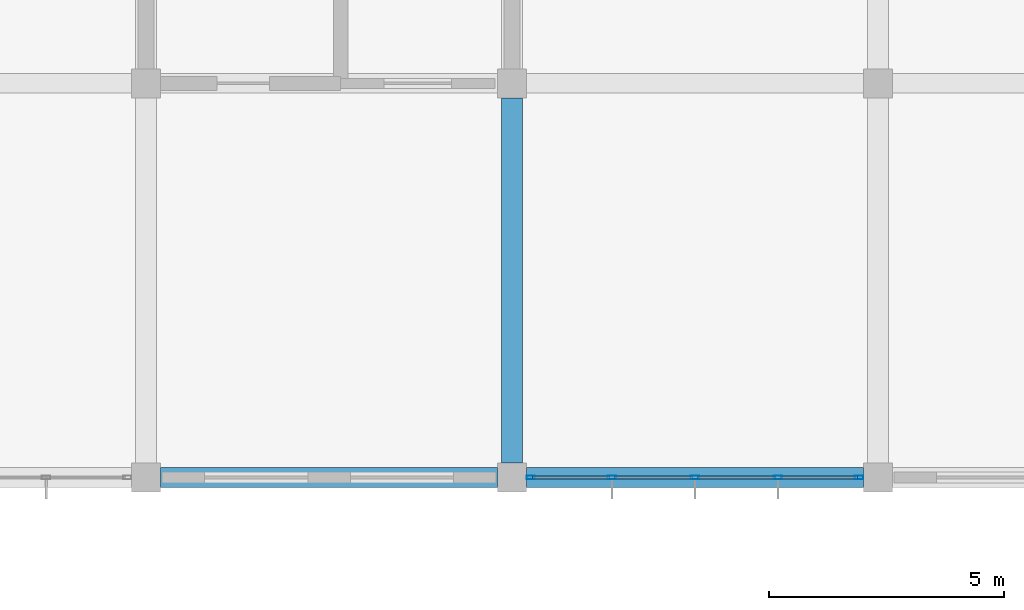
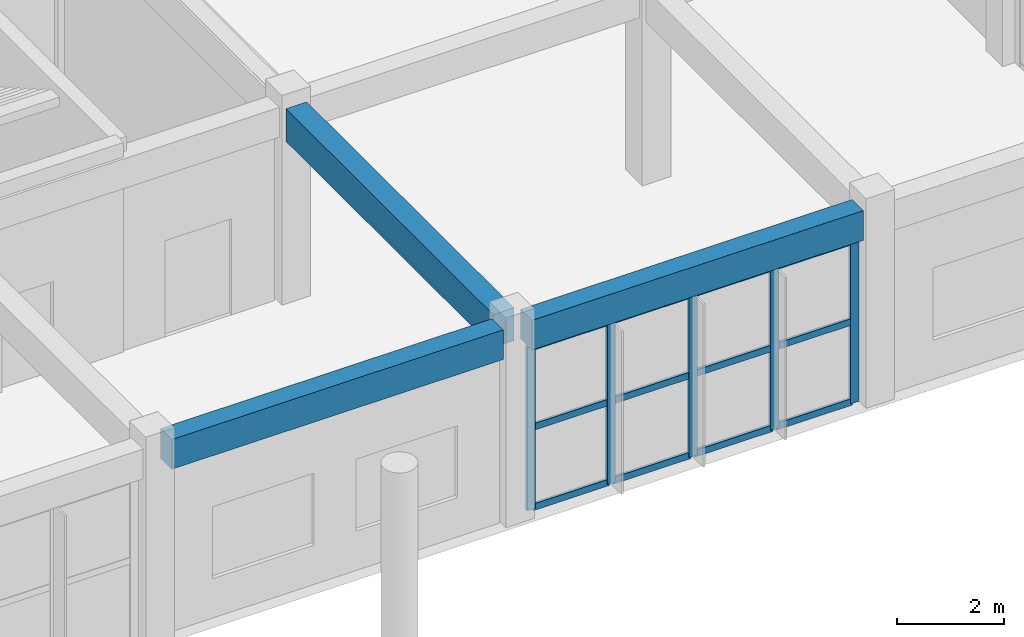
# One storey, part 90 of 167: 17 members, 3 beams, 1 element without a shape of its own.
"""IFC4 building model written with IfcOpenShell, lengths in metres."""

from ifc_helpers import new_model, si_unit, direction, frame, origin, origin_2d, place, context, subcontext, project, spatial, rectangle, hollow_rectangle, extrude, material, layer, layer_set, material_profile, profile_set, type_object, element, aggregate, save


model = new_model("IFC4")

# Units and contexts
model_context = context("Model", 3, precision=1e-05, world=origin(), true_north=direction((0.0, 1.0)))
body_context = subcontext(model_context, "Body", "Model", "MODEL_VIEW")
ifc_project = project(units=[si_unit("LENGTHUNIT", "METRE"), si_unit("AREAUNIT", "SQUARE_METRE"), si_unit("VOLUMEUNIT", "CUBIC_METRE"), si_unit("PLANEANGLEUNIT", "RADIAN"), si_unit("MASSUNIT", "GRAM", prefix="KILO")], contexts=[model_context])

# Site, building, storey
site_placement = place(None, origin())
site = spatial("IfcSite", under=ifc_project, at=site_placement, CompositionType="ELEMENT")
building_placement = place(site_placement, origin())
building = spatial("IfcBuilding", under=site, at=building_placement, Name="Zizhar Promenade General Hospital", CompositionType="ELEMENT")
storey_placement = place(building_placement, frame((0.0, 0.0, 9.60009765625)))
storey = spatial("IfcBuildingStorey", under=building, at=storey_placement, Name="L02", CompositionType="ELEMENT", Elevation=9.60009765625)

# Beams
ifc_material_1 = material(Name="Concrete C35/45", Category="concrete")
ifc_material_profile_1 = material_profile(ifc_material_1, rectangle(XDim=0.419921875, YDim=0.679931640625, at=origin_2d()))
ifc_profile_set_1 = profile_set([ifc_material_profile_1], Name="Concrete C35/45")
beam_type_1 = type_object("IfcBeamType", Name="BM-RC-420x680", PredefinedType="JOIST", material=ifc_profile_set_1)
beam_1_placement = place(storey_placement, frame((171.909912109375, 42.0, 4.1298828125), z_axis=(1.0, 0.0, 0.0), x_axis=(0.0, 1.0, 0.0)))
element("IfcBeam", 1, at=beam_1_placement, inside=storey, type_object=beam_type_1, Name="Grid Beam X L02 (22-5)", PredefinedType="JOIST", context=body_context, shape_type="SweptSolid", body=[
    extrude(rectangle(XDim=0.419921875, YDim=0.679931640625, at=origin_2d()), origin(), (0.0, 0.0, 1.0), 7.18017578125),
])
beam_2_placement = place(storey_placement, frame((179.7099609375, 42.0, 4.1298828125), z_axis=(1.0, 0.0, 0.0), x_axis=(0.0, 1.0, 0.0)))
element("IfcBeam", 2, at=beam_2_placement, inside=storey, type_object=beam_type_1, Name="Grid Beam X L02 (23-5)", PredefinedType="JOIST", context=body_context, shape_type="SweptSolid", body=[
    extrude(rectangle(XDim=0.419921875, YDim=0.679931640625, at=origin_2d()), origin(), (0.0, 0.0, 1.0), 7.179931640625),
])
ifc_material_2 = material(Name="Concrete C35/45", Category="concrete")
ifc_material_profile_2 = material_profile(ifc_material_2, rectangle(XDim=0.449951171875, YDim=0.75, at=origin_2d()))
ifc_profile_set_2 = profile_set([ifc_material_profile_2], Name="Concrete C35/45")
beam_type_2 = type_object("IfcBeamType", Name="BM-RC-450x750", PredefinedType="BEAM", material=ifc_profile_set_2)
beam_3_placement = place(storey_placement, frame((179.39990234375, 42.31005859375, 4.094970703125), z_axis=(0.0, 1.0, 0.0), x_axis=(-1.0, 0.0, 0.0)))
element("IfcBeam", 3, at=beam_3_placement, inside=storey, type_object=beam_type_2, Name="Grid Beam Y L02 (23-5)", PredefinedType="BEAM", context=body_context, shape_type="SweptSolid", body=[
    extrude(rectangle(XDim=0.449951171875, YDim=0.75, at=origin_2d()), origin(), (0.0, 0.0, 1.0), 7.780029296875),
])

# Curtain wall, members
ifc_material_3 = material(Name="Anodised aluminium 6063-T6 and low-E glass", Category="aluminium")
ifc_layer = layer(ifc_material_3, 0.159912109375)
ifc_layer_set = layer_set([ifc_layer], Name="Anodised aluminium 6063-T6 and low-E glass")
curtain_wall_type = type_object("IfcCurtainWallType", Name="CW-CLN-EXT", PredefinedType="NOTDEFINED", material=ifc_layer_set)
curtain_wall_placement = place(storey_placement, origin())
curtain_wall = element("IfcCurtainWall", 4, at=curtain_wall_placement, inside=storey, type_object=curtain_wall_type, Name="Outpatient Forecourt Curtain Wall L02-23", PredefinedType="NOTDEFINED")
ifc_material_4 = material(Name="Anodised aluminium 6063-T6", Category="aluminium")
ifc_material_profile_3 = material_profile(ifc_material_4, hollow_rectangle(XDim=0.080078125, YDim=0.179931640625, WallThickness=0.0048828125, at=origin_2d()))
ifc_profile_set_3 = profile_set([ifc_material_profile_3], Name="Anodised aluminium 6063-T6")
member_type_1 = type_object("IfcMemberType", Name="CWM-ALU-180x80", PredefinedType="MULLION", material=ifc_profile_set_3)
member_1_placement = place(storey_placement, frame((186.800048828125, 42.0, 0.0), z_axis=(0.0, 0.0, 1.0), x_axis=(0.0, -1.0, 0.0)))
member_1 = element("IfcMember", 5, at=member_1_placement, type_object=member_type_1, Name="CW-09 mullion 1", PredefinedType="MULLION", context=body_context, shape_type="SweptSolid", body=[
    extrude(hollow_rectangle(XDim=0.080078125, YDim=0.179931640625, WallThickness=0.0048828125, at=origin_2d()), origin(), (0.0, 0.0, 1.0), 3.72998046875),
])
member_2_placement = place(storey_placement, frame((185.070068359375, 42.0, 0.0), z_axis=(0.0, 0.0, 1.0), x_axis=(0.0, -1.0, 0.0)))
member_2 = element("IfcMember", 6, at=member_2_placement, type_object=member_type_1, Name="CW-09 mullion 2", PredefinedType="MULLION", context=body_context, shape_type="SweptSolid", body=[
    extrude(hollow_rectangle(XDim=0.080078125, YDim=0.179931640625, WallThickness=0.0048828125, at=origin_2d()), origin(), (0.0, 0.0, 1.0), 3.72998046875),
])
member_3_placement = place(storey_placement, frame((183.300048828125, 42.0, 0.0), z_axis=(0.0, 0.0, 1.0), x_axis=(0.0, -1.0, 0.0)))
member_3 = element("IfcMember", 7, at=member_3_placement, type_object=member_type_1, Name="CW-09 mullion 3", PredefinedType="MULLION", context=body_context, shape_type="SweptSolid", body=[
    extrude(hollow_rectangle(XDim=0.080078125, YDim=0.179931640625, WallThickness=0.0048828125, at=origin_2d()), origin(), (0.0, 0.0, 1.0), 3.72998046875),
])
member_4_placement = place(storey_placement, frame((181.530029296875, 42.0, 0.0), z_axis=(0.0, 0.0, 1.0), x_axis=(0.0, -1.0, 0.0)))
member_4 = element("IfcMember", 8, at=member_4_placement, type_object=member_type_1, Name="CW-09 mullion 4", PredefinedType="MULLION", context=body_context, shape_type="SweptSolid", body=[
    extrude(hollow_rectangle(XDim=0.080078125, YDim=0.179931640625, WallThickness=0.0048828125, at=origin_2d()), origin(), (0.0, 0.0, 1.0), 3.72998046875),
])
member_5_placement = place(storey_placement, frame((179.800048828125, 42.0, 0.0), z_axis=(0.0, 0.0, 1.0), x_axis=(0.0, -1.0, 0.0)))
member_5 = element("IfcMember", 9, at=member_5_placement, type_object=member_type_1, Name="CW-09 mullion 5", PredefinedType="MULLION", context=body_context, shape_type="SweptSolid", body=[
    extrude(hollow_rectangle(XDim=0.080078125, YDim=0.179931640625, WallThickness=0.0048828125, at=origin_2d()), origin(), (0.0, 0.0, 1.0), 3.72998046875),
])
ifc_material_5 = material(Name="Anodised aluminium 6063-T6", Category="aluminium")
ifc_material_profile_4 = material_profile(ifc_material_5, hollow_rectangle(XDim=0.06005859375, YDim=0.14990234375, WallThickness=0.00390625, at=origin_2d()))
ifc_profile_set_4 = profile_set([ifc_material_profile_4], Name="Anodised aluminium 6063-T6")
member_type_2 = type_object("IfcMemberType", Name="CWT-ALU-150x60", PredefinedType="USERDEFINED", material=ifc_profile_set_4)
member_6_placement = place(storey_placement, frame((186.760009765625, 42.0, 0.02978515625), z_axis=(-1.0, 0.0, 0.0), x_axis=(0.0, -1.0, 0.0)))
member_6 = element("IfcMember", 10, at=member_6_placement, type_object=member_type_2, Name="CW-09 transom 1.1", ObjectType="TRANSOM", PredefinedType="USERDEFINED", context=body_context, shape_type="SweptSolid", body=[
    extrude(hollow_rectangle(XDim=0.06005859375, YDim=0.14990234375, WallThickness=0.00390625, at=origin_2d()), origin(), (0.0, 0.0, 1.0), 1.64990234375),
])
member_7_placement = place(storey_placement, frame((186.760009765625, 42.0, 1.864990234375), z_axis=(-1.0, 0.0, 0.0), x_axis=(0.0, -1.0, 0.0)))
member_7 = element("IfcMember", 11, at=member_7_placement, type_object=member_type_2, Name="CW-09 transom 1.2", ObjectType="TRANSOM", PredefinedType="USERDEFINED", context=body_context, shape_type="SweptSolid", body=[
    extrude(hollow_rectangle(XDim=0.06005859375, YDim=0.14990234375, WallThickness=0.00390625, at=origin_2d()), origin(), (0.0, 0.0, 1.0), 1.64990234375),
])
member_8_placement = place(storey_placement, frame((186.760009765625, 42.0, 3.699951171875), z_axis=(-1.0, 0.0, 0.0), x_axis=(0.0, -1.0, 0.0)))
member_8 = element("IfcMember", 12, at=member_8_placement, type_object=member_type_2, Name="CW-09 transom 1.3", ObjectType="TRANSOM", PredefinedType="USERDEFINED", context=body_context, shape_type="SweptSolid", body=[
    extrude(hollow_rectangle(XDim=0.06005859375, YDim=0.14990234375, WallThickness=0.00390625, at=origin_2d()), origin(), (0.0, 0.0, 1.0), 1.64990234375),
])
member_9_placement = place(storey_placement, frame((185.030029296875, 42.0, 0.02978515625), z_axis=(-1.0, 0.0, 0.0), x_axis=(0.0, -1.0, 0.0)))
member_9 = element("IfcMember", 13, at=member_9_placement, type_object=member_type_2, Name="CW-09 transom 2.1", ObjectType="TRANSOM", PredefinedType="USERDEFINED", context=body_context, shape_type="SweptSolid", body=[
    extrude(hollow_rectangle(XDim=0.06005859375, YDim=0.14990234375, WallThickness=0.00390625, at=origin_2d()), origin(), (0.0, 0.0, 1.0), 1.68994140625),
])
member_10_placement = place(storey_placement, frame((185.030029296875, 42.0, 1.864990234375), z_axis=(-1.0, 0.0, 0.0), x_axis=(0.0, -1.0, 0.0)))
member_10 = element("IfcMember", 14, at=member_10_placement, type_object=member_type_2, Name="CW-09 transom 2.2", ObjectType="TRANSOM", PredefinedType="USERDEFINED", context=body_context, shape_type="SweptSolid", body=[
    extrude(hollow_rectangle(XDim=0.06005859375, YDim=0.14990234375, WallThickness=0.00390625, at=origin_2d()), origin(), (0.0, 0.0, 1.0), 1.68994140625),
])
member_11_placement = place(storey_placement, frame((185.030029296875, 42.0, 3.699951171875), z_axis=(-1.0, 0.0, 0.0), x_axis=(0.0, -1.0, 0.0)))
member_11 = element("IfcMember", 15, at=member_11_placement, type_object=member_type_2, Name="CW-09 transom 2.3", ObjectType="TRANSOM", PredefinedType="USERDEFINED", context=body_context, shape_type="SweptSolid", body=[
    extrude(hollow_rectangle(XDim=0.06005859375, YDim=0.14990234375, WallThickness=0.00390625, at=origin_2d()), origin(), (0.0, 0.0, 1.0), 1.68994140625),
])
member_12_placement = place(storey_placement, frame((183.260009765625, 42.0, 0.02978515625), z_axis=(-1.0, 0.0, 0.0), x_axis=(0.0, -1.0, 0.0)))
member_12 = element("IfcMember", 16, at=member_12_placement, type_object=member_type_2, Name="CW-09 transom 3.1", ObjectType="TRANSOM", PredefinedType="USERDEFINED", context=body_context, shape_type="SweptSolid", body=[
    extrude(hollow_rectangle(XDim=0.06005859375, YDim=0.14990234375, WallThickness=0.00390625, at=origin_2d()), origin(), (0.0, 0.0, 1.0), 1.68994140625),
])
member_13_placement = place(storey_placement, frame((183.260009765625, 42.0, 1.864990234375), z_axis=(-1.0, 0.0, 0.0), x_axis=(0.0, -1.0, 0.0)))
member_13 = element("IfcMember", 17, at=member_13_placement, type_object=member_type_2, Name="CW-09 transom 3.2", ObjectType="TRANSOM", PredefinedType="USERDEFINED", context=body_context, shape_type="SweptSolid", body=[
    extrude(hollow_rectangle(XDim=0.06005859375, YDim=0.14990234375, WallThickness=0.00390625, at=origin_2d()), origin(), (0.0, 0.0, 1.0), 1.68994140625),
])
member_14_placement = place(storey_placement, frame((183.260009765625, 42.0, 3.699951171875), z_axis=(-1.0, 0.0, 0.0), x_axis=(0.0, -1.0, 0.0)))
member_14 = element("IfcMember", 18, at=member_14_placement, type_object=member_type_2, Name="CW-09 transom 3.3", ObjectType="TRANSOM", PredefinedType="USERDEFINED", context=body_context, shape_type="SweptSolid", body=[
    extrude(hollow_rectangle(XDim=0.06005859375, YDim=0.14990234375, WallThickness=0.00390625, at=origin_2d()), origin(), (0.0, 0.0, 1.0), 1.68994140625),
])
member_15_placement = place(storey_placement, frame((181.489990234375, 42.0, 0.02978515625), z_axis=(-1.0, 0.0, 0.0), x_axis=(0.0, -1.0, 0.0)))
member_15 = element("IfcMember", 19, at=member_15_placement, type_object=member_type_2, Name="CW-09 transom 4.1", ObjectType="TRANSOM", PredefinedType="USERDEFINED", context=body_context, shape_type="SweptSolid", body=[
    extrude(hollow_rectangle(XDim=0.06005859375, YDim=0.14990234375, WallThickness=0.00390625, at=origin_2d()), origin(), (0.0, 0.0, 1.0), 1.64990234375),
])
member_16_placement = place(storey_placement, frame((181.489990234375, 42.0, 1.864990234375), z_axis=(-1.0, 0.0, 0.0), x_axis=(0.0, -1.0, 0.0)))
member_16 = element("IfcMember", 20, at=member_16_placement, type_object=member_type_2, Name="CW-09 transom 4.2", ObjectType="TRANSOM", PredefinedType="USERDEFINED", context=body_context, shape_type="SweptSolid", body=[
    extrude(hollow_rectangle(XDim=0.06005859375, YDim=0.14990234375, WallThickness=0.00390625, at=origin_2d()), origin(), (0.0, 0.0, 1.0), 1.64990234375),
])
member_17_placement = place(storey_placement, frame((181.489990234375, 42.0, 3.699951171875), z_axis=(-1.0, 0.0, 0.0), x_axis=(0.0, -1.0, 0.0)))
member_17 = element("IfcMember", 21, at=member_17_placement, type_object=member_type_2, Name="CW-09 transom 4.3", ObjectType="TRANSOM", PredefinedType="USERDEFINED", context=body_context, shape_type="SweptSolid", body=[
    extrude(hollow_rectangle(XDim=0.06005859375, YDim=0.14990234375, WallThickness=0.00390625, at=origin_2d()), origin(), (0.0, 0.0, 1.0), 1.64990234375),
])
aggregate(curtain_wall, [member_1, member_2, member_3, member_4, member_5, member_6, member_7, member_8, member_9, member_10, member_11, member_12, member_13, member_14, member_15, member_16, member_17])

save(model, "model.ifc")
